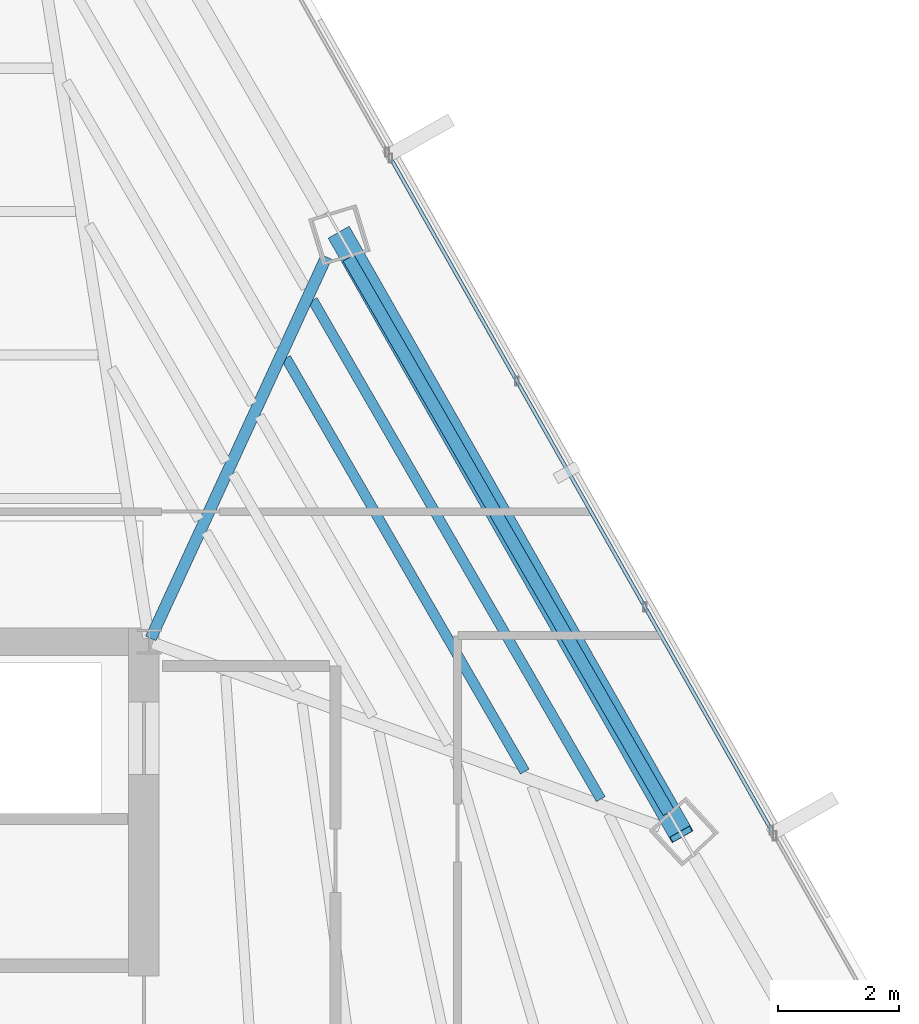
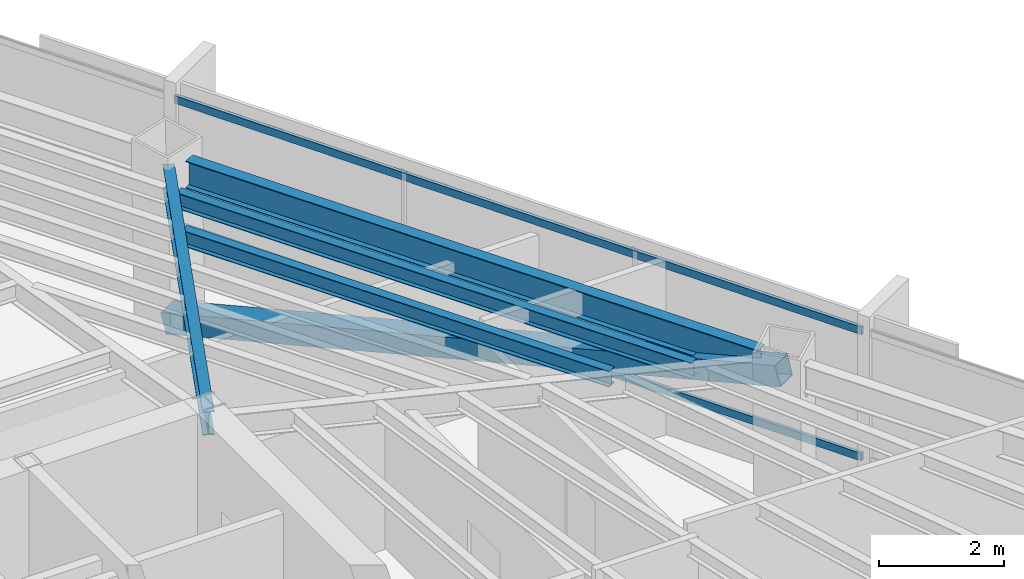
# One storey, part 27 of 41: 4 beams, 3 members, 1 element without a shape of its own.
"""IFC4 building model written with IfcOpenShell, lengths in metres."""

from ifc_helpers import new_model, si_unit, direction, frame, origin, origin_2d, place, context, subcontext, project, spatial, hollow_rectangle, i_section, extrude, source, transform, mapped, material, material_profile, profile_set, type_object, type_shapes, element, aggregate, save


model = new_model("IFC4")

# Units and contexts
model_context = context("Model", 3, precision=1e-05, world=origin(), true_north=direction((0.0, 1.0)))
body_context = subcontext(model_context, "Body", "Model", "MODEL_VIEW")
ifc_project = project(units=[si_unit("LENGTHUNIT", "METRE"), si_unit("AREAUNIT", "SQUARE_METRE"), si_unit("VOLUMEUNIT", "CUBIC_METRE"), si_unit("PLANEANGLEUNIT", "RADIAN"), si_unit("MASSUNIT", "GRAM", prefix="KILO")], contexts=[model_context])

# Site, building, storey
site_placement = place(None, origin())
site = spatial("IfcSite", under=ifc_project, at=site_placement, CompositionType="ELEMENT")
building_placement = place(site_placement, origin())
building = spatial("IfcBuilding", under=site, at=building_placement, Name="Caelisora Broadcast Tower", CompositionType="ELEMENT")
storey_placement = place(building_placement, frame((0.0, 0.0, 209.60009765625)))
storey = spatial("IfcBuildingStorey", under=building, at=storey_placement, Name="L55", CompositionType="ELEMENT", Elevation=209.60009765625)

# Beams
ifc_material_1 = material(Name="Steel Grade 350 (AS/NZS 3679.1)", Category="steel")
ifc_material_profile_1 = material_profile(ifc_material_1, i_section(OverallWidth=0.208984375, OverallDepth=0.532958984375, WebThickness=0.01025390625, FlangeThickness=0.015625, at=origin_2d()), Name="Steel Grade 350 (AS/NZS 3679.1)")
ifc_profile_set_1 = profile_set([ifc_material_profile_1], Name="Steel Grade 350 (AS/NZS 3679.1)")
beam_type_1 = type_object("IfcBeamType", Name="PG05", PredefinedType="BEAM", material=ifc_profile_set_1)
shared_shape_1 = source(origin(), body_context, "Body", "SweptSolid", [
    extrude(i_section(OverallWidth=0.208984375, OverallDepth=0.532958984375, WebThickness=0.01025390625, FlangeThickness=0.015625, at=origin_2d()), origin(), (0.0, 0.0, 1.0), 10.58984375),
])
type_shapes(beam_type_1, [shared_shape_1])
beam_1_placement = place(storey_placement, frame((54.090576171875, 27.17578125, 3.13330078125), z_axis=(-0.499997184019, 0.866027029586, 0.0), x_axis=(-0.866027029586, -0.499997184019, 0.0)))
element("IfcBeam", 1, at=beam_1_placement, inside=storey, type_object=beam_type_1, Name="L55 beam PG05", PredefinedType="BEAM", context=body_context, shape_type="MappedRepresentation", body=[
    mapped(shared_shape_1, transform((0.0, 0.0, 0.0), scale=1.0)),
])
ifc_material_profile_2 = material_profile(ifc_material_1, i_section(OverallWidth=0.19091796875, OverallDepth=0.46044921875, WebThickness=0.010009765625, FlangeThickness=0.01611328125, at=origin_2d()), Name="Steel Grade 350 (AS/NZS 3679.1)")
ifc_profile_set_2 = profile_set([ifc_material_profile_2], Name="Steel Grade 350 (AS/NZS 3679.1)")
beam_type_2 = type_object("IfcBeamType", Name="PG06", PredefinedType="BEAM", material=ifc_profile_set_2)
shared_shape_2 = source(origin(), body_context, "Body", "SweptSolid", [
    extrude(i_section(OverallWidth=0.19091796875, OverallDepth=0.46044921875, WebThickness=0.010009765625, FlangeThickness=0.01611328125, at=origin_2d()), origin(), (0.0, 0.0, 1.0), 6.94775390625),
])
type_shapes(beam_type_2, [shared_shape_2])
beam_2_placement = place(storey_placement, frame((45.525146484375, 30.054443359375, 3.169677734375), z_axis=(0.418153270537, 0.908376487113, 0.0), x_axis=(-0.908376487113, 0.418153270537, 0.0)))
element("IfcBeam", 2, at=beam_2_placement, inside=storey, type_object=beam_type_2, Name="L55 beam PG06", PredefinedType="BEAM", context=body_context, shape_type="MappedRepresentation", body=[
    mapped(shared_shape_2, transform((0.0, 0.0, 0.0), scale=1.0)),
])
ifc_material_profile_3 = material_profile(ifc_material_1, i_section(OverallWidth=0.166015625, OverallDepth=0.30712890625, WebThickness=0.006591796875, FlangeThickness=0.01171875, at=origin_2d()), Name="Steel Grade 350 (AS/NZS 3679.1)")
ifc_profile_set_3 = profile_set([ifc_material_profile_3], Name="Steel Grade 350 (AS/NZS 3679.1)")
beam_type_3 = type_object("IfcBeamType", Name="SB03", PredefinedType="JOIST", material=ifc_profile_set_3)
shared_shape_3 = source(origin(), body_context, "Body", "SweptSolid", [
    extrude(i_section(OverallWidth=0.166015625, OverallDepth=0.30712890625, WebThickness=0.006591796875, FlangeThickness=0.01171875, at=origin_2d()), origin(), (0.0, 0.0, 1.0), 7.899169921875),
])
beam_3_placement = place(storey_placement, frame((51.712158203125, 27.851318359375, 3.246337890625), z_axis=(-0.500014961832, 0.866016765394, 0.0), x_axis=(-0.866016765394, -0.500014961832, 0.0)))
element("IfcBeam", 3, at=beam_3_placement, inside=storey, type_object=beam_type_3, Name="L55 beam SB03", PredefinedType="JOIST", context=body_context, shape_type="MappedRepresentation", body=[
    mapped(shared_shape_3, transform((0.0, 0.0, 0.0), scale=1.0)),
])
shared_shape_4 = source(origin(), body_context, "Body", "SweptSolid", [
    extrude(i_section(OverallWidth=0.166015625, OverallDepth=0.30712890625, WebThickness=0.006591796875, FlangeThickness=0.01171875, at=origin_2d()), origin(), (0.0, 0.0, 1.0), 9.531005859375),
])
type_shapes(beam_type_3, [shared_shape_3, shared_shape_4])
beam_4_placement = place(storey_placement, frame((52.968994140625, 27.396240234375, 3.246337890625), z_axis=(-0.499987795774, 0.866032449783, 0.0), x_axis=(-0.866032449783, -0.499987795774, 0.0)))
element("IfcBeam", 4, at=beam_4_placement, inside=storey, type_object=beam_type_3, Name="L55 beam SB03", PredefinedType="JOIST", context=body_context, shape_type="MappedRepresentation", body=[
    mapped(shared_shape_4, transform((0.0, 0.0, 0.0), scale=1.0)),
])

# Member
ifc_material_2 = material(Name="Steel Grade 450 (AS/NZS 1163 C450L0)", Category="steel")
ifc_material_profile_4 = material_profile(ifc_material_2, hollow_rectangle(XDim=0.39990234375, YDim=0.39990234375, WallThickness=0.01611328125, at=origin_2d()), Name="Steel Grade 450 (AS/NZS 1163 C450L0)")
ifc_profile_set_4 = profile_set([ifc_material_profile_4], Name="Steel Grade 450 (AS/NZS 1163 C450L0)")
member_type_1 = type_object("IfcMemberType", Name="BR04", PredefinedType="BRACE", material=ifc_profile_set_4)
shared_shape_5 = source(origin(), body_context, "Body", "SweptSolid", [
    extrude(hollow_rectangle(XDim=0.39990234375, YDim=0.39990234375, WallThickness=0.01611328125, at=origin_2d()), origin(), (0.0, 0.0, 1.0), 11.79345703125),
])
type_shapes(member_type_1, [shared_shape_5])
member_1_placement = place(storey_placement, frame((54.298583984375, 26.815673828125, 3.099853515625), z_axis=(-0.478243510181, 0.840579938139, -0.254378679469), x_axis=(-0.869171604821, -0.494510587725, 0.0)))
element("IfcMember", 5, at=member_1_placement, inside=storey, type_object=member_type_1, Name="L55 perimeter brace BR04", PredefinedType="BRACE", context=body_context, shape_type="MappedRepresentation", body=[
    mapped(shared_shape_5, transform((0.0, 0.0, 0.0), scale=1.0)),
])

# Curtain wall, members
ifc_material_3 = material(Name="Unitised Aluminium Insulated Shadow-Box Spandrel Curtain Wall", Category="aluminium")
curtain_wall_type = type_object("IfcCurtainWallType", Name="CW-SP2", PredefinedType="NOTDEFINED", material=ifc_material_3)
curtain_wall_placement = place(storey_placement, origin())
curtain_wall = element("IfcCurtainWall", 6, at=curtain_wall_placement, inside=storey, type_object=curtain_wall_type, Name="L55 curtain wall CW-SP2", PredefinedType="NOTDEFINED")
ifc_material_4 = material(Name="Aluminium 6063-T6 Anodised Terracotta Bronze", Category="aluminium")
ifc_material_profile_5 = material_profile(ifc_material_4, hollow_rectangle(XDim=0.06005859375, YDim=0.14990234375, WallThickness=0.00341796875, at=origin_2d()), Name="Aluminium 6063-T6 Anodised Terracotta Bronze")
ifc_profile_set_5 = profile_set([ifc_material_profile_5], Name="Aluminium 6063-T6 Anodised Terracotta Bronze")
member_type_2 = type_object("IfcMemberType", Name="CWT-02", PredefinedType="USERDEFINED", material=ifc_profile_set_5)
shared_shape_6 = source(origin(), body_context, "Body", "SweptSolid", [
    extrude(hollow_rectangle(XDim=0.06005859375, YDim=0.14990234375, WallThickness=0.00341796875, at=origin_2d()), origin(), (0.0, 0.0, 1.0), 12.77880859375),
])
type_shapes(member_type_2, [shared_shape_6])
member_2_placement = place(storey_placement, frame((49.49169921875, 38.0, 0.849853515625), z_axis=(0.49299184369, -0.870033931554, 0.0), x_axis=(0.870033931554, 0.49299184369, 0.0)))
member_2 = element("IfcMember", 7, at=member_2_placement, type_object=member_type_2, Name="L55-CW-B02 transom #1", ObjectType="TRANSOM", PredefinedType="USERDEFINED", context=body_context, shape_type="MappedRepresentation", body=[
    mapped(shared_shape_6, transform((0.0, 0.0, 0.0), scale=1.0)),
])
member_3_placement = place(storey_placement, frame((49.49169921875, 38.0, 3.31982421875), z_axis=(0.49299184369, -0.870033931554, 0.0), x_axis=(0.870033931554, 0.49299184369, 0.0)))
member_3 = element("IfcMember", 8, at=member_3_placement, type_object=member_type_2, Name="L55-CW-B02 transom #2", ObjectType="TRANSOM", PredefinedType="USERDEFINED", context=body_context, shape_type="MappedRepresentation", body=[
    mapped(shared_shape_6, transform((0.0, 0.0, 0.0), scale=1.0)),
])
aggregate(curtain_wall, [member_2, member_3])

save(model, "model.ifc")
